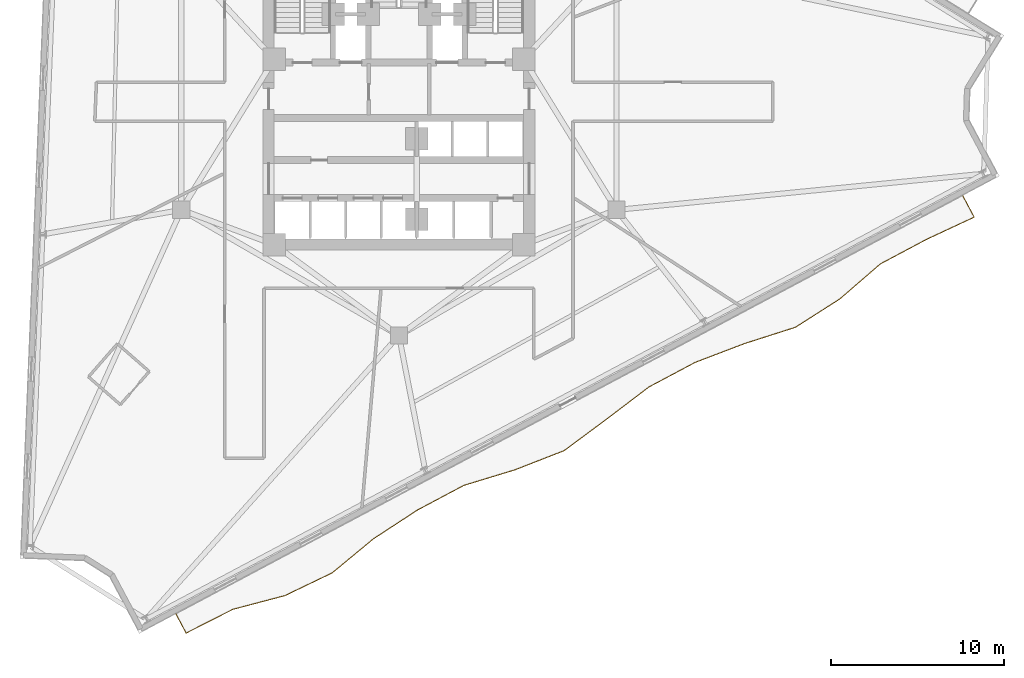
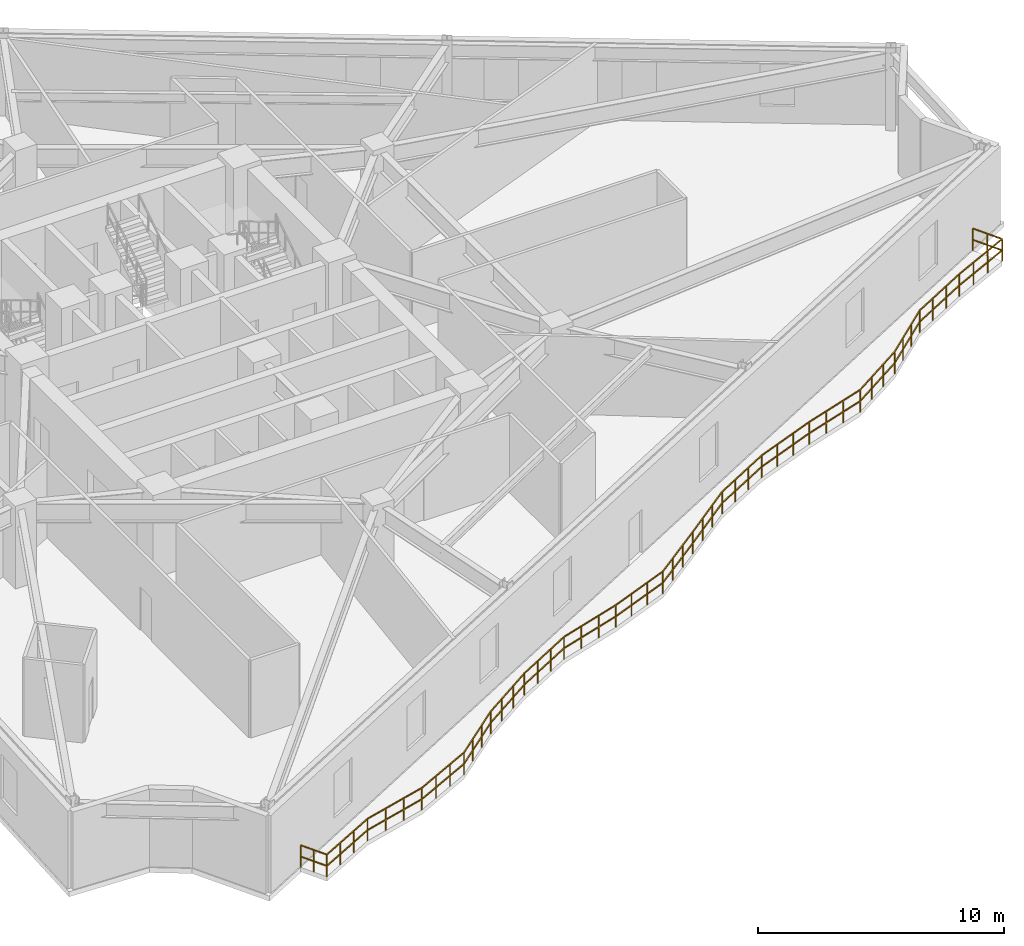
# One storey, part 9 of 11: 1 railing.
"""IFC4 building model written with IfcOpenShell, lengths in metres."""

import ifcopenshell
import ifcopenshell.guid

model = None  # the IFC model being written
_history = None  # IfcOwnerHistory: only IFC2X3 demands one
_inside = {}  # id of a spatial element -> (the spatial element, [elements in it])
_under = {}  # id of a project, library or spatial element -> (it, [spatial elements below it])
_declared = {}  # id of a project -> (the project, [libraries it declares])
_typed = {}  # id of a type object -> (the type object, [elements of that type])
_made_of = {}  # id of a material, layer set ... -> (it, [elements and type objects made of it])


def new_model(schema):
    """Start an empty IFC model of exactly this schema.

    Asked for "IFC4X3", IfcOpenShell would pick the latest addendum, in which some entities
    have other attributes; the version numbers below select the first issue.
    IFC2X3 requires an IfcOwnerHistory on every rooted entity: one is made here for all.
    """
    global model, _history
    if schema == "IFC4X3":
        model = ifcopenshell.file(schema_version=(4, 3, 0, 0))
    else:
        model = ifcopenshell.file(schema=schema)
    _inside.clear()
    _under.clear()
    _declared.clear()
    _typed.clear()
    _made_of.clear()
    _history = None
    if model.schema == "IFC2X3":
        org = make("IfcOrganization", Name="unknown")
        user = make(
            "IfcPersonAndOrganization",
            ThePerson=make("IfcPerson", FamilyName="unknown"),
            TheOrganization=org,
        )
        app = make(
            "IfcApplication",
            ApplicationDeveloper=org,
            Version="unknown",
            ApplicationFullName="unknown",
            ApplicationIdentifier="unknown",
        )
        _history = make(
            "IfcOwnerHistory",
            OwningUser=user,
            OwningApplication=app,
            ChangeAction="ADDED",
            CreationDate=0,
        )
    return model


def make(cls, **values):
    """One entity of the class cls with the attributes given. An attribute that is None is left unset."""
    return model.create_entity(
        cls, **{name: value for name, value in values.items() if value is not None}
    )


def rooted(cls, **values):
    """An entity with a GlobalId (a new one), such as an element, a storey or a relation."""
    return make(cls, GlobalId=ifcopenshell.guid.new(), OwnerHistory=_history, **values)


def si_unit(unit_type, name, prefix=None):
    """IfcSIUnit, for example si_unit("LENGTHUNIT", "METRE", prefix="MILLI")."""
    return make("IfcSIUnit", UnitType=unit_type, Prefix=prefix, Name=name)


def assignment(units):
    """IfcUnitAssignment: the units of a project."""
    return None if units is None else make("IfcUnitAssignment", Units=units)


def point(xyz):
    """IfcCartesianPoint."""
    return None if xyz is None else make("IfcCartesianPoint", Coordinates=xyz)


def direction(xyz):
    """IfcDirection."""
    return None if xyz is None else make("IfcDirection", DirectionRatios=xyz)


def frame(location, z_axis=None, x_axis=None):
    """IfcAxis2Placement3D, a coordinate frame: its origin and axes. An axis left out is left unset."""
    return make(
        "IfcAxis2Placement3D",
        Location=point(location),
        Axis=direction(z_axis),
        RefDirection=direction(x_axis),
    )


def frame_2d(location, x_axis=None):
    """IfcAxis2Placement2D, a coordinate frame in the plane: its origin and x axis."""
    return make(
        "IfcAxis2Placement2D", Location=point(location), RefDirection=direction(x_axis)
    )


def origin():
    """The frame at (0, 0, 0) with its axes left unset."""
    return frame((0.0, 0.0, 0.0))


def origin_2d():
    """The frame at (0, 0) in the plane with its x axis left unset."""
    return frame_2d((0.0, 0.0))


def place(relative_to, where):
    """IfcLocalPlacement: puts the frame where relative to a parent placement (None: the world)."""
    return make(
        "IfcLocalPlacement", PlacementRelTo=relative_to, RelativePlacement=where
    )


def context(
    kind, dimensions, precision=None, world=None, true_north=None, identifier=None
):
    """IfcGeometricRepresentationContext, for example the 3D "Model" context."""
    return make(
        "IfcGeometricRepresentationContext",
        ContextIdentifier=identifier,
        ContextType=kind,
        CoordinateSpaceDimension=dimensions,
        Precision=precision,
        WorldCoordinateSystem=world,
        TrueNorth=true_north,
    )


def subcontext(parent, identifier, kind, view, scale=None):
    """IfcGeometricRepresentationSubContext, for example "Body" below "Model"."""
    return make(
        "IfcGeometricRepresentationSubContext",
        ContextIdentifier=identifier,
        ContextType=kind,
        ParentContext=parent,
        TargetScale=scale,
        TargetView=view,
    )


def project(units=None, contexts=None):
    """IfcProject with its units and contexts."""
    return rooted(
        "IfcProject",
        Name="project",
        RepresentationContexts=contexts,
        UnitsInContext=assignment(units),
    )


def spatial(cls, under=None, at=None, **own):
    """A site, building, storey or space (cls), placed at a placement, below another one or the project."""
    s = rooted(cls, ObjectPlacement=at, **own)
    if under is not None:
        _under.setdefault(under.id(), (under, []))[1].append(s)
    return s


def profile(cls, at=None, kind="AREA", **sizes):
    """A parametric profile (cls). Its sizes go by their IFC names, for example OverallWidth=200.0."""
    return make(cls, ProfileType=kind, Position=at, **sizes)


def rectangle(**sizes):
    """IfcRectangleProfileDef."""
    return profile("IfcRectangleProfileDef", **sizes)


def extrude(swept, where, along, depth):
    """IfcExtrudedAreaSolid: the profile swept, set in the frame where, extruded along a direction by depth."""
    return make(
        "IfcExtrudedAreaSolid",
        SweptArea=swept,
        Position=where,
        ExtrudedDirection=direction(along),
        Depth=depth,
    )


def shape(context_of_items, identifier, shape_type, items):
    """IfcShapeRepresentation: the items that make up one representation, for example the "Body"."""
    return make(
        "IfcShapeRepresentation",
        ContextOfItems=context_of_items,
        RepresentationIdentifier=identifier,
        RepresentationType=shape_type,
        Items=items,
    )


def material(Name=None, Category=None):
    """IfcMaterial."""
    return make("IfcMaterial", Name=Name, Category=Category)


def made_of(thing, what):
    """Note that an element or type object is made of a material, layer set ...; save() writes the relation."""
    if what is not None:
        _made_of.setdefault(what.id(), (what, []))[1].append(thing)
    return thing


def type_object(cls, material=None, **own):
    """A type object (cls), such as IfcWallType, which elements share."""
    return made_of(rooted(cls, **own), material)


def element(
    cls,
    number,
    at=None,
    inside=None,
    cuts=None,
    type_object=None,
    material=None,
    context=None,
    identifier="Body",
    shape_type=None,
    held_by="IfcProductDefinitionShape",
    body=None,
    shapes=None,
    **own,
):
    """One element of the class cls, such as IfcWall. Its Tag is "e" and its number.

    at: its placement. inside: the storey or other place that contains it. cuts: it is an
    opening in that element (IfcRelVoidsElement). A single representation is given by context,
    identifier, shape_type and body (its items); several are given by shapes. held_by: the class
    of the entity that holds the representations. save() writes the other relations.
    """
    e = rooted(cls, Tag="e%d" % number, ObjectPlacement=at, **own)
    if body is not None:
        shapes = [shape(context, identifier, shape_type, body)]
    if shapes is not None:
        e.Representation = make(held_by, Representations=shapes)
    if inside is not None:
        _inside.setdefault(inside.id(), (inside, []))[1].append(e)
    if cuts is not None:
        rooted(
            "IfcRelVoidsElement", RelatingBuildingElement=cuts, RelatedOpeningElement=e
        )
    if type_object is not None:
        _typed.setdefault(type_object.id(), (type_object, []))[1].append(e)
    return made_of(e, material)


def aggregate(whole, parts):
    """IfcRelAggregates: a whole, such as a stair, and the parts it consists of."""
    return rooted("IfcRelAggregates", RelatingObject=whole, RelatedObjects=parts)


def save(model, path):
    """Write the relations noted so far, then the file.

    IfcRelAggregates (storeys below a building ...), IfcRelContainedInSpatialStructure (elements
    in a storey), IfcRelDefinesByType, IfcRelAssociatesMaterial and IfcRelDeclares: one each for
    every whole, place, type object, material and project.
    """
    for whole, parts in _under.values():
        aggregate(whole, parts)
    for where, things in _inside.values():
        rooted(
            "IfcRelContainedInSpatialStructure",
            RelatedElements=things,
            RelatingStructure=where,
        )
    for kind, things in _typed.values():
        rooted("IfcRelDefinesByType", RelatedObjects=things, RelatingType=kind)
    for what, things in _made_of.values():
        rooted("IfcRelAssociatesMaterial", RelatedObjects=things, RelatingMaterial=what)
    for by, libraries in _declared.values():
        rooted("IfcRelDeclares", RelatingContext=by, RelatedDefinitions=libraries)
    model.write(path)


model = new_model("IFC4")

# Units and contexts
model_context = context("Model", 3, precision=1e-05, world=origin(), true_north=direction((0.0, 1.0)))
body_context = subcontext(model_context, "Body", "Model", "MODEL_VIEW")
ifc_project = project(units=[si_unit("LENGTHUNIT", "METRE"), si_unit("AREAUNIT", "SQUARE_METRE"), si_unit("VOLUMEUNIT", "CUBIC_METRE"), si_unit("PLANEANGLEUNIT", "RADIAN"), si_unit("MASSUNIT", "GRAM", prefix="KILO")], contexts=[model_context])

# Site, building, storey
site_placement = place(None, origin())
site = spatial("IfcSite", under=ifc_project, at=site_placement, CompositionType="ELEMENT")
building_placement = place(site_placement, origin())
building = spatial("IfcBuilding", under=site, at=building_placement, Name="Apsidion Concourse Tower", CompositionType="ELEMENT")
storey_placement = place(building_placement, frame((0.0, 0.0, 186.0)))
storey = spatial("IfcBuildingStorey", under=building, at=storey_placement, Name="L43", CompositionType="ELEMENT", Elevation=186.0)

# Railing
ifc_material = material(Name="Brushed stainless steel 316", Category="steel")
railing_type = type_object("IfcRailingType", Name="RL-BAL-1120", PredefinedType="BALUSTRADE", material=ifc_material)
railing_placement = place(storey_placement, frame((32.549560546875, -6.426025390625, 0.0)))
element("IfcRailing", 1, at=railing_placement, inside=storey, type_object=railing_type, Name="L43 Face 2 Rippling Balcony Balustrade", PredefinedType="BALUSTRADE", context=body_context, shape_type="SweptSolid", body=[
    extrude(rectangle(XDim=0.048095703125, YDim=0.048095703125, at=origin_2d()), frame((0.0, 0.0, 1.09619140625), z_axis=(0.469383159088, -0.882994592262, 0.0), x_axis=(0.882994592262, 0.469383159088, 0.0)), (0.0, 0.0, 1.0), 1.40966796875),
    extrude(rectangle(XDim=0.048095703125, YDim=0.048095703125, at=origin_2d()), frame((0.0, 0.0, 0.5361328125), z_axis=(0.469383159088, -0.882994592262, 0.0), x_axis=(0.882994592262, 0.469383159088, 0.0)), (0.0, 0.0, 1.0), 1.40966796875),
    extrude(rectangle(XDim=0.048095703125, YDim=0.048095703125, at=origin_2d()), frame((0.66162109375, -1.24462890625, 1.09619140625), z_axis=(-0.906444364255, -0.422325247305, 0.0), x_axis=(0.422325247305, -0.906444364255, 0.0)), (0.0, 0.0, 1.0), 3.0302734375),
    extrude(rectangle(XDim=0.048095703125, YDim=0.048095703125, at=origin_2d()), frame((0.66162109375, -1.24462890625, 0.5361328125), z_axis=(-0.906444364255, -0.422325247305, 0.0), x_axis=(0.422325247305, -0.906444364255, 0.0)), (0.0, 0.0, 1.0), 3.0302734375),
    extrude(rectangle(XDim=0.048095703125, YDim=0.048095703125, at=origin_2d()), frame((-2.085205078125, -2.5244140625, 1.09619140625), z_axis=(-0.88294852993, -0.469469800408, 0.0), x_axis=(0.469469800408, -0.88294852993, 0.0)), (0.0, 0.0, 1.0), 3.026123046875),
    extrude(rectangle(XDim=0.048095703125, YDim=0.048095703125, at=origin_2d()), frame((-2.085205078125, -2.5244140625, 0.5361328125), z_axis=(-0.88294852993, -0.469469800408, 0.0), x_axis=(0.469469800408, -0.88294852993, 0.0)), (0.0, 0.0, 1.0), 3.026123046875),
    extrude(rectangle(XDim=0.048095703125, YDim=0.048095703125, at=origin_2d()), frame((-4.757080078125, -3.945068359375, 1.09619140625), z_axis=(-0.756713337962, -0.653746834907, 0.0), x_axis=(0.653746834907, -0.756713337962, 0.0)), (0.0, 0.0, 1.0), 3.103759765625),
    extrude(rectangle(XDim=0.048095703125, YDim=0.048095703125, at=origin_2d()), frame((-4.757080078125, -3.945068359375, 0.5361328125), z_axis=(-0.756713337962, -0.653746834907, 0.0), x_axis=(0.653746834907, -0.756713337962, 0.0)), (0.0, 0.0, 1.0), 3.103759765625),
    extrude(rectangle(XDim=0.048095703125, YDim=0.048095703125, at=origin_2d()), frame((-7.105712890625, -5.97412109375, 1.09619140625), z_axis=(-0.843174333906, -0.537640253926, 0.0), x_axis=(0.537640253926, -0.843174333906, 0.0)), (0.0, 0.0, 1.0), 3.03564453125),
    extrude(rectangle(XDim=0.048095703125, YDim=0.048095703125, at=origin_2d()), frame((-7.105712890625, -5.97412109375, 0.5361328125), z_axis=(-0.843174333906, -0.537640253926, 0.0), x_axis=(0.537640253926, -0.843174333906, 0.0)), (0.0, 0.0, 1.0), 3.03564453125),
    extrude(rectangle(XDim=0.048095703125, YDim=0.048095703125, at=origin_2d()), frame((-9.665283203125, -7.606201171875, 1.09619140625), z_axis=(-0.952485880791, -0.304582742278, 0.0), x_axis=(0.304582742278, -0.952485880791, 0.0)), (0.0, 0.0, 1.0), 3.07568359375),
    extrude(rectangle(XDim=0.048095703125, YDim=0.048095703125, at=origin_2d()), frame((-9.665283203125, -7.606201171875, 0.5361328125), z_axis=(-0.952485880791, -0.304582742278, 0.0), x_axis=(0.304582742278, -0.952485880791, 0.0)), (0.0, 0.0, 1.0), 3.07568359375),
    extrude(rectangle(XDim=0.048095703125, YDim=0.048095703125, at=origin_2d()), frame((-12.5947265625, -8.54296875, 1.09619140625), z_axis=(-0.934557461568, -0.355812241256, 0.0), x_axis=(0.355812241256, -0.934557461568, 0.0)), (0.0, 0.0, 1.0), 3.050048828125),
    extrude(rectangle(XDim=0.048095703125, YDim=0.048095703125, at=origin_2d()), frame((-12.5947265625, -8.54296875, 0.5361328125), z_axis=(-0.934557461568, -0.355812241256, 0.0), x_axis=(0.355812241256, -0.934557461568, 0.0)), (0.0, 0.0, 1.0), 3.050048828125),
    extrude(rectangle(XDim=0.048095703125, YDim=0.048095703125, at=origin_2d()), frame((-15.445068359375, -9.628173828125, 1.09619140625), z_axis=(-0.88294852993, -0.469469800408, 0.0), x_axis=(0.469469800408, -0.88294852993, 0.0)), (0.0, 0.0, 1.0), 3.026123046875),
    extrude(rectangle(XDim=0.048095703125, YDim=0.048095703125, at=origin_2d()), frame((-15.445068359375, -9.628173828125, 0.5361328125), z_axis=(-0.88294852993, -0.469469800408, 0.0), x_axis=(0.469469800408, -0.88294852993, 0.0)), (0.0, 0.0, 1.0), 3.026123046875),
    extrude(rectangle(XDim=0.048095703125, YDim=0.048095703125, at=origin_2d()), frame((-18.116943359375, -11.048828125, 1.09619140625), z_axis=(-0.796142245772, -0.605109514465, 0.0), x_axis=(0.605109514465, -0.796142245772, 0.0)), (0.0, 0.0, 1.0), 3.06591796875),
    extrude(rectangle(XDim=0.048095703125, YDim=0.048095703125, at=origin_2d()), frame((-18.116943359375, -11.048828125, 0.5361328125), z_axis=(-0.796142245772, -0.605109514465, 0.0), x_axis=(0.605109514465, -0.796142245772, 0.0)), (0.0, 0.0, 1.0), 3.06591796875),
    extrude(rectangle(XDim=0.048095703125, YDim=0.048095703125, at=origin_2d()), frame((-20.557861328125, -12.904052734375, 1.09619140625), z_axis=(-0.803205153391, -0.595702510962, 0.0), x_axis=(0.595702510962, -0.803205153391, 0.0)), (0.0, 0.0, 1.0), 3.060302734375),
    extrude(rectangle(XDim=0.048095703125, YDim=0.048095703125, at=origin_2d()), frame((-20.557861328125, -12.904052734375, 0.5361328125), z_axis=(-0.803205153391, -0.595702510962, 0.0), x_axis=(0.595702510962, -0.803205153391, 0.0)), (0.0, 0.0, 1.0), 3.060302734375),
    extrude(rectangle(XDim=0.048095703125, YDim=0.048095703125, at=origin_2d()), frame((-23.015869140625, -14.72705078125, 1.09619140625), z_axis=(-0.931819619482, -0.362921750172, 0.0), x_axis=(0.362921750172, -0.931819619482, 0.0)), (0.0, 0.0, 1.0), 3.04736328125),
    extrude(rectangle(XDim=0.048095703125, YDim=0.048095703125, at=origin_2d()), frame((-23.015869140625, -14.72705078125, 0.5361328125), z_axis=(-0.931819619482, -0.362921750172, 0.0), x_axis=(0.362921750172, -0.931819619482, 0.0)), (0.0, 0.0, 1.0), 3.04736328125),
    extrude(rectangle(XDim=0.048095703125, YDim=0.048095703125, at=origin_2d()), frame((-25.85546875, -15.8330078125, 1.09619140625), z_axis=(-0.956581774798, -0.2914640769, 0.0), x_axis=(0.2914640769, -0.956581774798, 0.0)), (0.0, 0.0, 1.0), 3.083251953125),
    extrude(rectangle(XDim=0.048095703125, YDim=0.048095703125, at=origin_2d()), frame((-25.85546875, -15.8330078125, 0.5361328125), z_axis=(-0.956581774798, -0.2914640769, 0.0), x_axis=(0.2914640769, -0.956581774798, 0.0)), (0.0, 0.0, 1.0), 3.083251953125),
    extrude(rectangle(XDim=0.048095703125, YDim=0.048095703125, at=origin_2d()), frame((-28.804931640625, -16.731689453125, 1.09619140625), z_axis=(-0.88294852993, -0.469469800408, 0.0), x_axis=(0.469469800408, -0.88294852993, 0.0)), (0.0, 0.0, 1.0), 3.026123046875),
    extrude(rectangle(XDim=0.048095703125, YDim=0.048095703125, at=origin_2d()), frame((-28.804931640625, -16.731689453125, 0.5361328125), z_axis=(-0.88294852993, -0.469469800408, 0.0), x_axis=(0.469469800408, -0.88294852993, 0.0)), (0.0, 0.0, 1.0), 3.026123046875),
    extrude(rectangle(XDim=0.048095703125, YDim=0.048095703125, at=origin_2d()), frame((-31.476806640625, -18.15234375, 1.09619140625), z_axis=(-0.837132351887, -0.547000388871, 0.0), x_axis=(0.547000388871, -0.837132351887, 0.0)), (0.0, 0.0, 1.0), 3.03857421875),
    extrude(rectangle(XDim=0.048095703125, YDim=0.048095703125, at=origin_2d()), frame((-31.476806640625, -18.15234375, 0.5361328125), z_axis=(-0.837132351887, -0.547000388871, 0.0), x_axis=(0.547000388871, -0.837132351887, 0.0)), (0.0, 0.0, 1.0), 3.03857421875),
    extrude(rectangle(XDim=0.048095703125, YDim=0.048095703125, at=origin_2d()), frame((-34.0205078125, -19.814453125, 1.09619140625), z_axis=(-0.770909443702, -0.63694476182, 0.0), x_axis=(0.63694476182, -0.770909443702, 0.0)), (0.0, 0.0, 1.0), 3.089111328125),
    extrude(rectangle(XDim=0.048095703125, YDim=0.048095703125, at=origin_2d()), frame((-34.0205078125, -19.814453125, 0.5361328125), z_axis=(-0.770909443702, -0.63694476182, 0.0), x_axis=(0.63694476182, -0.770909443702, 0.0)), (0.0, 0.0, 1.0), 3.089111328125),
    extrude(rectangle(XDim=0.048095703125, YDim=0.048095703125, at=origin_2d()), frame((-36.40185546875, -21.781982421875, 1.09619140625), z_axis=(-0.901377091222, -0.433035032556, 0.0), x_axis=(0.433035032556, -0.901377091222, 0.0)), (0.0, 0.0, 1.0), 3.028564453125),
    extrude(rectangle(XDim=0.048095703125, YDim=0.048095703125, at=origin_2d()), frame((-36.40185546875, -21.781982421875, 0.5361328125), z_axis=(-0.901377091222, -0.433035032556, 0.0), x_axis=(0.433035032556, -0.901377091222, 0.0)), (0.0, 0.0, 1.0), 3.028564453125),
    extrude(rectangle(XDim=0.048095703125, YDim=0.048095703125, at=origin_2d()), frame((-39.1318359375, -23.093505859375, 1.09619140625), z_axis=(-0.966958461209, -0.25493398027, 0.0), x_axis=(0.25493398027, -0.966958461209, 0.0)), (0.0, 0.0, 1.0), 3.108642578125),
    extrude(rectangle(XDim=0.048095703125, YDim=0.048095703125, at=origin_2d()), frame((-39.1318359375, -23.093505859375, 0.5361328125), z_axis=(-0.966958461209, -0.25493398027, 0.0), x_axis=(0.25493398027, -0.966958461209, 0.0)), (0.0, 0.0, 1.0), 3.108642578125),
    extrude(rectangle(XDim=0.048095703125, YDim=0.048095703125, at=origin_2d()), frame((-42.1376953125, -23.885986328125, 1.09619140625), z_axis=(-0.891716854905, -0.452593692707, 0.0), x_axis=(0.452593692707, -0.891716854905, 0.0)), (0.0, 0.0, 1.0), 3.026611328125),
    extrude(rectangle(XDim=0.048095703125, YDim=0.048095703125, at=origin_2d()), frame((-42.1376953125, -23.885986328125, 0.5361328125), z_axis=(-0.891716854905, -0.452593692707, 0.0), x_axis=(0.452593692707, -0.891716854905, 0.0)), (0.0, 0.0, 1.0), 3.026611328125),
    extrude(rectangle(XDim=0.048095703125, YDim=0.048095703125, at=origin_2d()), frame((-44.836669921875, -25.255859375, 1.09619140625), z_axis=(-0.469574099445, 0.882893065513, 0.0), x_axis=(-0.882893065513, -0.469574099445, 0.0)), (0.0, 0.0, 1.0), 1.25),
    extrude(rectangle(XDim=0.048095703125, YDim=0.048095703125, at=origin_2d()), frame((-44.836669921875, -25.255859375, 0.5361328125), z_axis=(-0.469574099445, 0.882893065513, 0.0), x_axis=(-0.882893065513, -0.469574099445, 0.0)), (0.0, 0.0, 1.0), 1.25),
    extrude(rectangle(XDim=0.0419921875, YDim=0.0419921875, at=origin_2d()), origin(), (0.0, 0.0, 1.0), 1.072021484375),
    extrude(rectangle(XDim=0.0419921875, YDim=0.0419921875, at=origin_2d()), frame((0.330810546875, -0.622314453125, 0.0)), (0.0, 0.0, 1.0), 1.072021484375),
    extrude(rectangle(XDim=0.0419921875, YDim=0.0419921875, at=origin_2d()), frame((0.66162109375, -1.24462890625, 0.0)), (0.0, 0.0, 1.0), 1.072021484375),
    extrude(rectangle(XDim=0.0419921875, YDim=0.0419921875, at=origin_2d()), frame((-0.25390625, -1.671142578125, 0.0)), (0.0, 0.0, 1.0), 1.072021484375),
    extrude(rectangle(XDim=0.0419921875, YDim=0.0419921875, at=origin_2d()), frame((-1.169677734375, -2.097900390625, 0.0)), (0.0, 0.0, 1.0), 1.072021484375),
    extrude(rectangle(XDim=0.0419921875, YDim=0.0419921875, at=origin_2d()), frame((-2.085205078125, -2.5244140625, 0.0)), (0.0, 0.0, 1.0), 1.072021484375),
    extrude(rectangle(XDim=0.0419921875, YDim=0.0419921875, at=origin_2d()), frame((-2.975830078125, -2.998046875, 0.0)), (0.0, 0.0, 1.0), 1.072021484375),
    extrude(rectangle(XDim=0.0419921875, YDim=0.0419921875, at=origin_2d()), frame((-3.866455078125, -3.471435546875, 0.0)), (0.0, 0.0, 1.0), 1.072021484375),
    extrude(rectangle(XDim=0.0419921875, YDim=0.0419921875, at=origin_2d()), frame((-4.757080078125, -3.945068359375, 0.0)), (0.0, 0.0, 1.0), 1.072021484375),
    extrude(rectangle(XDim=0.0419921875, YDim=0.0419921875, at=origin_2d()), frame((-5.5400390625, -4.621337890625, 0.0)), (0.0, 0.0, 1.0), 1.072021484375),
    extrude(rectangle(XDim=0.0419921875, YDim=0.0419921875, at=origin_2d()), frame((-6.32275390625, -5.2978515625, 0.0)), (0.0, 0.0, 1.0), 1.072021484375),
    extrude(rectangle(XDim=0.0419921875, YDim=0.0419921875, at=origin_2d()), frame((-7.105712890625, -5.97412109375, 0.0)), (0.0, 0.0, 1.0), 1.072021484375),
    extrude(rectangle(XDim=0.0419921875, YDim=0.0419921875, at=origin_2d()), frame((-7.958984375, -6.51806640625, 0.0)), (0.0, 0.0, 1.0), 1.072021484375),
    extrude(rectangle(XDim=0.0419921875, YDim=0.0419921875, at=origin_2d()), frame((-8.81201171875, -7.062255859375, 0.0)), (0.0, 0.0, 1.0), 1.072021484375),
    extrude(rectangle(XDim=0.0419921875, YDim=0.0419921875, at=origin_2d()), frame((-9.665283203125, -7.606201171875, 0.0)), (0.0, 0.0, 1.0), 1.072021484375),
    extrude(rectangle(XDim=0.0419921875, YDim=0.0419921875, at=origin_2d()), frame((-10.641845703125, -7.91845703125, 0.0)), (0.0, 0.0, 1.0), 1.072021484375),
    extrude(rectangle(XDim=0.0419921875, YDim=0.0419921875, at=origin_2d()), frame((-11.6181640625, -8.230712890625, 0.0)), (0.0, 0.0, 1.0), 1.072021484375),
    extrude(rectangle(XDim=0.0419921875, YDim=0.0419921875, at=origin_2d()), frame((-12.5947265625, -8.54296875, 0.0)), (0.0, 0.0, 1.0), 1.072021484375),
    extrude(rectangle(XDim=0.0419921875, YDim=0.0419921875, at=origin_2d()), frame((-13.544921875, -8.90478515625, 0.0)), (0.0, 0.0, 1.0), 1.072021484375),
    extrude(rectangle(XDim=0.0419921875, YDim=0.0419921875, at=origin_2d()), frame((-14.494873046875, -9.266357421875, 0.0)), (0.0, 0.0, 1.0), 1.072021484375),
    extrude(rectangle(XDim=0.0419921875, YDim=0.0419921875, at=origin_2d()), frame((-15.445068359375, -9.628173828125, 0.0)), (0.0, 0.0, 1.0), 1.072021484375),
    extrude(rectangle(XDim=0.0419921875, YDim=0.0419921875, at=origin_2d()), frame((-16.335693359375, -10.101806640625, 0.0)), (0.0, 0.0, 1.0), 1.072021484375),
    extrude(rectangle(XDim=0.0419921875, YDim=0.0419921875, at=origin_2d()), frame((-17.226318359375, -10.5751953125, 0.0)), (0.0, 0.0, 1.0), 1.072021484375),
    extrude(rectangle(XDim=0.0419921875, YDim=0.0419921875, at=origin_2d()), frame((-18.116943359375, -11.048828125, 0.0)), (0.0, 0.0, 1.0), 1.072021484375),
    extrude(rectangle(XDim=0.0419921875, YDim=0.0419921875, at=origin_2d()), frame((-18.9306640625, -11.667236328125, 0.0)), (0.0, 0.0, 1.0), 1.072021484375),
    extrude(rectangle(XDim=0.0419921875, YDim=0.0419921875, at=origin_2d()), frame((-19.744140625, -12.28564453125, 0.0)), (0.0, 0.0, 1.0), 1.072021484375),
    extrude(rectangle(XDim=0.0419921875, YDim=0.0419921875, at=origin_2d()), frame((-20.557861328125, -12.904052734375, 0.0)), (0.0, 0.0, 1.0), 1.072021484375),
    extrude(rectangle(XDim=0.0419921875, YDim=0.0419921875, at=origin_2d()), frame((-21.377197265625, -13.51171875, 0.0)), (0.0, 0.0, 1.0), 1.072021484375),
    extrude(rectangle(XDim=0.0419921875, YDim=0.0419921875, at=origin_2d()), frame((-22.196533203125, -14.119384765625, 0.0)), (0.0, 0.0, 1.0), 1.072021484375),
    extrude(rectangle(XDim=0.0419921875, YDim=0.0419921875, at=origin_2d()), frame((-23.015869140625, -14.72705078125, 0.0)), (0.0, 0.0, 1.0), 1.072021484375),
    extrude(rectangle(XDim=0.0419921875, YDim=0.0419921875, at=origin_2d()), frame((-23.96240234375, -15.095703125, 0.0)), (0.0, 0.0, 1.0), 1.072021484375),
    extrude(rectangle(XDim=0.0419921875, YDim=0.0419921875, at=origin_2d()), frame((-24.908935546875, -15.46435546875, 0.0)), (0.0, 0.0, 1.0), 1.072021484375),
    extrude(rectangle(XDim=0.0419921875, YDim=0.0419921875, at=origin_2d()), frame((-25.85546875, -15.8330078125, 0.0)), (0.0, 0.0, 1.0), 1.072021484375),
    extrude(rectangle(XDim=0.0419921875, YDim=0.0419921875, at=origin_2d()), frame((-26.838623046875, -16.132568359375, 0.0)), (0.0, 0.0, 1.0), 1.072021484375),
    extrude(rectangle(XDim=0.0419921875, YDim=0.0419921875, at=origin_2d()), frame((-27.82177734375, -16.43212890625, 0.0)), (0.0, 0.0, 1.0), 1.072021484375),
    extrude(rectangle(XDim=0.0419921875, YDim=0.0419921875, at=origin_2d()), frame((-28.804931640625, -16.731689453125, 0.0)), (0.0, 0.0, 1.0), 1.072021484375),
    extrude(rectangle(XDim=0.0419921875, YDim=0.0419921875, at=origin_2d()), frame((-29.695556640625, -17.205322265625, 0.0)), (0.0, 0.0, 1.0), 1.072021484375),
    extrude(rectangle(XDim=0.0419921875, YDim=0.0419921875, at=origin_2d()), frame((-30.586181640625, -17.6787109375, 0.0)), (0.0, 0.0, 1.0), 1.072021484375),
    extrude(rectangle(XDim=0.0419921875, YDim=0.0419921875, at=origin_2d()), frame((-31.476806640625, -18.15234375, 0.0)), (0.0, 0.0, 1.0), 1.072021484375),
    extrude(rectangle(XDim=0.0419921875, YDim=0.0419921875, at=origin_2d()), frame((-32.32470703125, -18.706298828125, 0.0)), (0.0, 0.0, 1.0), 1.072021484375),
    extrude(rectangle(XDim=0.0419921875, YDim=0.0419921875, at=origin_2d()), frame((-33.172607421875, -19.260498046875, 0.0)), (0.0, 0.0, 1.0), 1.072021484375),
    extrude(rectangle(XDim=0.0419921875, YDim=0.0419921875, at=origin_2d()), frame((-34.0205078125, -19.814453125, 0.0)), (0.0, 0.0, 1.0), 1.072021484375),
    extrude(rectangle(XDim=0.0419921875, YDim=0.0419921875, at=origin_2d()), frame((-34.814208984375, -20.47021484375, 0.0)), (0.0, 0.0, 1.0), 1.072021484375),
    extrude(rectangle(XDim=0.0419921875, YDim=0.0419921875, at=origin_2d()), frame((-35.608154296875, -21.126220703125, 0.0)), (0.0, 0.0, 1.0), 1.072021484375),
    extrude(rectangle(XDim=0.0419921875, YDim=0.0419921875, at=origin_2d()), frame((-36.40185546875, -21.781982421875, 0.0)), (0.0, 0.0, 1.0), 1.072021484375),
    extrude(rectangle(XDim=0.0419921875, YDim=0.0419921875, at=origin_2d()), frame((-37.311767578125, -22.21923828125, 0.0)), (0.0, 0.0, 1.0), 1.072021484375),
    extrude(rectangle(XDim=0.0419921875, YDim=0.0419921875, at=origin_2d()), frame((-38.221923828125, -22.65625, 0.0)), (0.0, 0.0, 1.0), 1.072021484375),
    extrude(rectangle(XDim=0.0419921875, YDim=0.0419921875, at=origin_2d()), frame((-39.1318359375, -23.093505859375, 0.0)), (0.0, 0.0, 1.0), 1.072021484375),
    extrude(rectangle(XDim=0.0419921875, YDim=0.0419921875, at=origin_2d()), frame((-40.1337890625, -23.357666015625, 0.0)), (0.0, 0.0, 1.0), 1.072021484375),
    extrude(rectangle(XDim=0.0419921875, YDim=0.0419921875, at=origin_2d()), frame((-41.1357421875, -23.621826171875, 0.0)), (0.0, 0.0, 1.0), 1.072021484375),
    extrude(rectangle(XDim=0.0419921875, YDim=0.0419921875, at=origin_2d()), frame((-42.1376953125, -23.885986328125, 0.0)), (0.0, 0.0, 1.0), 1.072021484375),
    extrude(rectangle(XDim=0.0419921875, YDim=0.0419921875, at=origin_2d()), frame((-43.037353515625, -24.342529296875, 0.0)), (0.0, 0.0, 1.0), 1.072021484375),
    extrude(rectangle(XDim=0.0419921875, YDim=0.0419921875, at=origin_2d()), frame((-43.93701171875, -24.79931640625, 0.0)), (0.0, 0.0, 1.0), 1.072021484375),
    extrude(rectangle(XDim=0.0419921875, YDim=0.0419921875, at=origin_2d()), frame((-44.836669921875, -25.255859375, 0.0)), (0.0, 0.0, 1.0), 1.072021484375),
    extrude(rectangle(XDim=0.0419921875, YDim=0.0419921875, at=origin_2d()), frame((-45.130126953125, -24.7041015625, 0.0)), (0.0, 0.0, 1.0), 1.072021484375),
    extrude(rectangle(XDim=0.0419921875, YDim=0.0419921875, at=origin_2d()), frame((-45.423583984375, -24.15234375, 0.0)), (0.0, 0.0, 1.0), 1.072021484375),
])

save(model, "model.ifc")
